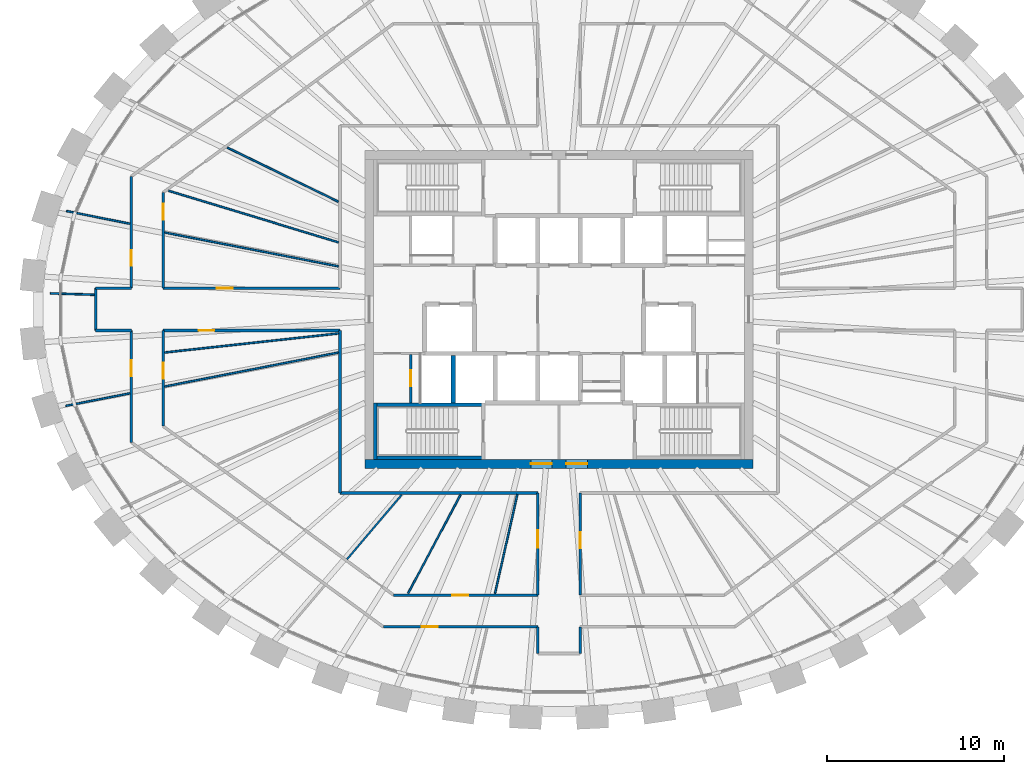
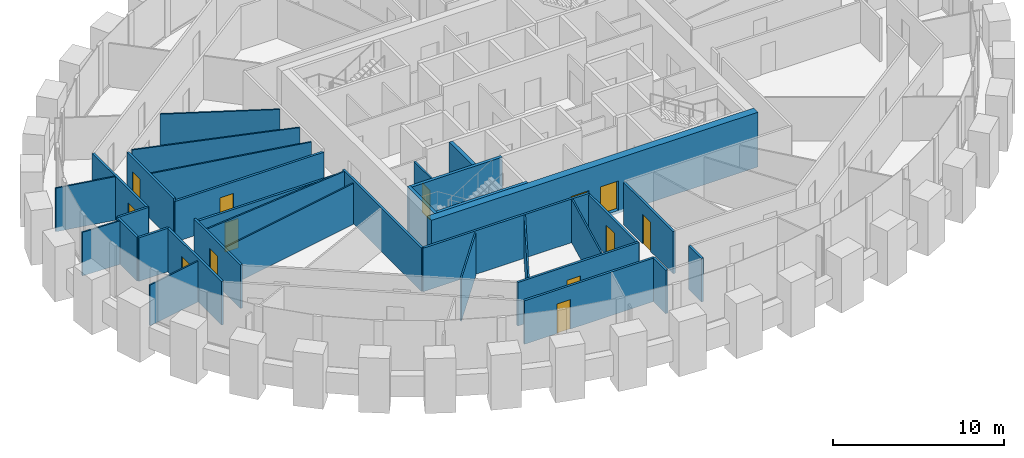
# One storey, part 6 of 12: 34 walls, 13 doors, 13 openings.
"""IFC4 building model written with IfcOpenShell, lengths in metres."""

from ifc_helpers import new_model, si_unit, direction, frame, frame_2d, origin, place, context, subcontext, project, spatial, rectangle, extrude, source, transform, mapped, material, layer, layer_set, type_object, element, fill, save


model = new_model("IFC4")

# Units and contexts
model_context = context("Model", 3, precision=1e-05, world=origin(), true_north=direction((0.0, 1.0)))
body_context = subcontext(model_context, "Body", "Model", "MODEL_VIEW")
ifc_project = project(units=[si_unit("LENGTHUNIT", "METRE"), si_unit("AREAUNIT", "SQUARE_METRE"), si_unit("VOLUMEUNIT", "CUBIC_METRE"), si_unit("PLANEANGLEUNIT", "RADIAN"), si_unit("MASSUNIT", "GRAM", prefix="KILO")], contexts=[model_context])

# Site, building, storey
site_placement = place(None, origin())
site = spatial("IfcSite", under=ifc_project, at=site_placement, CompositionType="ELEMENT")
building_placement = place(site_placement, origin())
building = spatial("IfcBuilding", under=site, at=building_placement, Name="Embergate Tower", CompositionType="ELEMENT")
storey_placement = place(building_placement, frame((0.0, 0.0, 320.800048828125)))
storey = spatial("IfcBuildingStorey", under=building, at=storey_placement, Name="L75", CompositionType="ELEMENT", Elevation=320.800048828125)

# Wall, openings, doors
ifc_material_1 = material(Name="Concrete C50", Category="concrete")
ifc_layer_1 = layer(ifc_material_1, 0.5)
ifc_layer_set_1 = layer_set([ifc_layer_1], Name="Concrete C50")
wall_type_1 = type_object("IfcWallType", Name="Core outer wall C50 500", PredefinedType="SHEAR", material=ifc_layer_set_1)
shared_shape_1 = source(origin(), body_context, "Body", "SweptSolid", [
    extrude(rectangle(XDim=22.0, YDim=0.5, at=frame_2d((11.0, 0.0))), origin(), (0.0, 0.0, 1.0), 3.89990234375),
])
wall_1_placement = place(storey_placement, frame((-11.0, -8.75, -0.199951171875), z_axis=(0.0, 0.0, 1.0), x_axis=(1.0, 0.0, 0.0)))
wall_1 = element("IfcWall", 1, at=wall_1_placement, inside=storey, type_object=wall_type_1, Name="CW-L75-S", PredefinedType="SHEAR", context=body_context, shape_type="MappedRepresentation", body=[
    mapped(shared_shape_1, transform((0.0, 0.0, 0.0))),
])
shared_shape_2 = source(origin(), body_context, "Body", "SweptSolid", [
    extrude(rectangle(XDim=1.199951171875, YDim=2.10009765625, at=frame_2d((0.60009765625, 1.050048828125))), frame((0.0, 0.260009765625, 0.0), z_axis=(0.0, -1.0, 0.0), x_axis=(1.0, 0.0, 0.0)), (0.0, 0.0, 1.0), 0.52001953125),
])
opening_1_placement = place(wall_1_placement, frame((9.39990234375, 0.0, 0.199951171875)))
opening_1 = element("IfcOpeningElement", 2, at=opening_1_placement, cuts=wall_1, Name="Opening IF-1", PredefinedType="OPENING", context=body_context, shape_type="MappedRepresentation", body=[
    mapped(shared_shape_2, transform((0.0, 0.0, 0.0))),
])
opening_2_placement = place(wall_1_placement, frame((11.39990234375, 0.0, 0.199951171875)))
opening_2 = element("IfcOpeningElement", 3, at=opening_2_placement, cuts=wall_1, Name="Opening IF-1", PredefinedType="OPENING", context=body_context, shape_type="MappedRepresentation", body=[
    mapped(shared_shape_2, transform((0.0, 0.0, 0.0))),
])
ifc_material_2 = material(Name="Escape fire door 1200")
door_type_1 = type_object("IfcDoorType", Name="Escape fire door 1200", OperationType="SINGLE_SWING_LEFT", PredefinedType="DOOR", material=ifc_material_2)
shared_shape_3 = source(origin(), body_context, "Body", "SweptSolid", [
    extrude(rectangle(XDim=1.199951171875, YDim=2.10009765625, at=frame_2d((0.60009765625, 1.050048828125))), frame((0.0, 0.02490234375, 0.0), z_axis=(0.0, -1.0, 0.0), x_axis=(1.0, 0.0, 0.0)), (0.0, 0.0, 1.0), 0.050048828125),
])
door_1_placement = place(opening_1_placement, origin())
door_1 = element("IfcDoor", 4, at=door_1_placement, inside=storey, type_object=door_type_1, Name="IF-1 door", OperationType="SINGLE_SWING_LEFT", OverallHeight=2.10009765625, OverallWidth=1.199951171875, PredefinedType="DOOR", context=body_context, shape_type="MappedRepresentation", body=[
    mapped(shared_shape_3, transform((0.0, 0.0, 0.0))),
])
fill(opening_1, door_1)
door_2_placement = place(opening_2_placement, origin())
door_2 = element("IfcDoor", 5, at=door_2_placement, inside=storey, type_object=door_type_1, Name="IF-1 door", OperationType="SINGLE_SWING_LEFT", OverallHeight=2.10009765625, OverallWidth=1.199951171875, PredefinedType="DOOR", context=body_context, shape_type="MappedRepresentation", body=[
    mapped(shared_shape_3, transform((0.0, 0.0, 0.0))),
])
fill(opening_2, door_2)

# Walls
ifc_layer_2 = layer(ifc_material_1, 0.25)
ifc_layer_set_2 = layer_set([ifc_layer_2], Name="Concrete C50")
wall_type_2 = type_object("IfcWallType", Name="Hoistway wall reinforced concrete 250", PredefinedType="SHEAR", material=ifc_layer_set_2)
shared_shape_4 = source(origin(), body_context, "Body", "SweptSolid", [
    extrude(rectangle(XDim=2.675048828125, YDim=0.25, at=frame_2d((1.33740234375, 0.0))), origin(), (0.0, 0.0, 1.0), 3.699951171875),
])
wall_2_placement = place(storey_placement, frame((-6.0, -5.300048828125, 0.0), z_axis=(0.0, 0.0, 1.0), x_axis=(0.0, 1.0, 0.0)))
element("IfcWall", 6, at=wall_2_placement, inside=storey, type_object=wall_type_2, Name="HW-1 wall", PredefinedType="SHEAR", context=body_context, shape_type="MappedRepresentation", body=[
    mapped(shared_shape_4, transform((0.0, 0.0, 0.0))),
])
ifc_layer_3 = layer(ifc_material_1, 0.199951171875)
ifc_layer_set_3 = layer_set([ifc_layer_3], Name="Concrete C50")
wall_type_3 = type_object("IfcWallType", Name="Stair enclosure wall reinforced concrete 250", PredefinedType="SHEAR", material=ifc_layer_set_3)
shared_shape_5 = source(origin(), body_context, "Body", "SweptSolid", [
    extrude(rectangle(XDim=6.300048828125, YDim=0.199951171875, at=frame_2d((3.14990234375, 0.0))), origin(), (0.0, 0.0, 1.0), 3.699951171875),
])
wall_3_placement = place(storey_placement, frame((-10.5, -5.39990234375, 0.0), z_axis=(0.0, 0.0, 1.0), x_axis=(1.0, 0.0, 0.0)))
element("IfcWall", 7, at=wall_3_placement, inside=storey, type_object=wall_type_3, Name="SE-1 wall", PredefinedType="SHEAR", context=body_context, shape_type="MappedRepresentation", body=[
    mapped(shared_shape_5, transform((0.0, 0.0, 0.0))),
])

# Wall, opening, door
ifc_material_3 = material(Name="Core partition blockwork 120")
ifc_layer_4 = layer(ifc_material_3, 0.1201171875)
ifc_layer_set_4 = layer_set([ifc_layer_4], Name="Core partition blockwork 120")
wall_type_4 = type_object("IfcWallType", Name="Core partition blockwork 120", PredefinedType="PARTITIONING", material=ifc_layer_set_4)
shared_shape_6 = source(origin(), body_context, "Body", "SweptSolid", [
    extrude(rectangle(XDim=2.739990234375, YDim=0.1201171875, at=frame_2d((1.3701171875, 0.0))), origin(), (0.0, 0.0, 1.0), 3.099853515625),
])
wall_4_placement = place(storey_placement, frame((-8.39990234375, -2.56005859375, 0.0), z_axis=(0.0, 0.0, 1.0), x_axis=(0.0, -1.0, 0.0)))
wall_4 = element("IfcWall", 8, at=wall_4_placement, inside=storey, type_object=wall_type_4, Name="IP-3 wall", PredefinedType="PARTITIONING", context=body_context, shape_type="MappedRepresentation", body=[
    mapped(shared_shape_6, transform((0.0, 0.0, 0.0))),
])
shared_shape_7 = source(origin(), body_context, "Body", "SweptSolid", [
    extrude(rectangle(XDim=0.89990234375, YDim=2.10009765625, at=frame_2d((0.449951171875, 1.050048828125))), frame((0.0, 0.070068359375, 0.0), z_axis=(0.0, -1.0, 0.0), x_axis=(1.0, 0.0, 0.0)), (0.0, 0.0, 1.0), 0.14013671875),
])
opening_3_placement = place(wall_4_placement, frame((0.889892578125, 0.0, 0.0)))
opening_3 = element("IfcOpeningElement", 9, at=opening_3_placement, cuts=wall_4, Name="Opening ID-1", PredefinedType="OPENING", context=body_context, shape_type="MappedRepresentation", body=[
    mapped(shared_shape_7, transform((0.0, 0.0, 0.0))),
])
ifc_material_4 = material(Name="Interior door 900")
door_type_2 = type_object("IfcDoorType", Name="Interior door 900", OperationType="SINGLE_SWING_LEFT", PredefinedType="DOOR", material=ifc_material_4)
shared_shape_8 = source(origin(), body_context, "Body", "SweptSolid", [
    extrude(rectangle(XDim=0.89990234375, YDim=2.10009765625, at=frame_2d((0.449951171875, 1.050048828125))), frame((0.0, 0.02490234375, 0.0), z_axis=(0.0, -1.0, 0.0), x_axis=(1.0, 0.0, 0.0)), (0.0, 0.0, 1.0), 0.050048828125),
])
door_3_placement = place(opening_3_placement, origin())
door_3 = element("IfcDoor", 10, at=door_3_placement, inside=storey, type_object=door_type_2, Name="ID-1 door", OperationType="SINGLE_SWING_LEFT", OverallHeight=2.10009765625, OverallWidth=0.89990234375, PredefinedType="DOOR", context=body_context, shape_type="MappedRepresentation", body=[
    mapped(shared_shape_8, transform((0.0, 0.0, 0.0))),
])
fill(opening_3, door_3)

# Walls
ifc_material_5 = material(Name="Corridor wall dry-lined 150 wet")
ifc_layer_5 = layer(ifc_material_5, 0.14990234375)
ifc_layer_set_5 = layer_set([ifc_layer_5], Name="Corridor wall dry-lined 150 wet")
wall_type_5 = type_object("IfcWallType", Name="Corridor wall dry-lined 150 wet", PredefinedType="PLUMBINGWALL", material=ifc_layer_set_5)
shared_shape_9 = source(origin(), body_context, "Body", "SweptSolid", [
    extrude(rectangle(XDim=2.39990234375, YDim=0.14990234375, at=frame_2d((1.199951171875, 0.0))), origin(), (0.0, 0.0, 1.0), 3.099853515625),
])
wall_5_placement = place(storey_placement, frame((-26.238037109375, -1.199951171875, 0.0), z_axis=(0.0, 0.0, 1.0), x_axis=(0.0, 1.0, 0.0)))
element("IfcWall", 11, at=wall_5_placement, inside=storey, type_object=wall_type_5, Name="IP-2 wall", PredefinedType="PLUMBINGWALL", context=body_context, shape_type="MappedRepresentation", body=[
    mapped(shared_shape_9, transform((0.0, 0.0, 0.0))),
])
ifc_material_6 = material(Name="Corridor wall dry-lined 150")
ifc_layer_6 = layer(ifc_material_6, 0.14990234375)
ifc_layer_set_6 = layer_set([ifc_layer_6], Name="Corridor wall dry-lined 150")
wall_type_6 = type_object("IfcWallType", Name="Corridor wall dry-lined 150", PredefinedType="PARTITIONING", material=ifc_layer_set_6)
shared_shape_10 = source(origin(), body_context, "Body", "SweptSolid", [
    extrude(rectangle(XDim=9.199951171875, YDim=0.14990234375, at=frame_2d((4.60009765625, 0.0))), origin(), (0.0, 0.0, 1.0), 3.099853515625),
])
wall_6_placement = place(storey_placement, frame((-12.39990234375, -10.39990234375, 0.0), z_axis=(0.0, 0.0, 1.0), x_axis=(0.0, 1.0, 0.0)))
element("IfcWall", 12, at=wall_6_placement, inside=storey, type_object=wall_type_6, Name="IP-2 wall", PredefinedType="PARTITIONING", context=body_context, shape_type="MappedRepresentation", body=[
    mapped(shared_shape_10, transform((0.0, 0.0, 0.0))),
])
shared_shape_11 = source(origin(), body_context, "Body", "SweptSolid", [
    extrude(rectangle(XDim=11.199951171875, YDim=0.14990234375, at=frame_2d((5.60009765625, 0.0))), origin(), (0.0, 0.0, 1.0), 3.099853515625),
])
wall_7_placement = place(storey_placement, frame((-1.199951171875, -10.39990234375, 0.0), z_axis=(0.0, 0.0, 1.0), x_axis=(-1.0, 0.0, 0.0)))
element("IfcWall", 13, at=wall_7_placement, inside=storey, type_object=wall_type_6, Name="IP-2 wall", PredefinedType="PARTITIONING", context=body_context, shape_type="MappedRepresentation", body=[
    mapped(shared_shape_11, transform((0.0, 0.0, 0.0))),
])
shared_shape_12 = source(origin(), body_context, "Body", "SweptSolid", [
    extrude(rectangle(XDim=6.298095703125, YDim=0.199951171875, at=frame_2d((3.14892578125, 0.0))), origin(), (0.0, 0.0, 1.0), 3.699951171875),
])
wall_8_placement = place(storey_placement, frame((-10.5, -8.39990234375, 0.0), z_axis=(0.0, 0.0, 1.0), x_axis=(1.0, 0.0, 0.0)))
element("IfcWall", 14, at=wall_8_placement, inside=storey, type_object=wall_type_3, Name="SE-1 wall", PredefinedType="SHEAR", context=body_context, shape_type="MappedRepresentation", body=[
    mapped(shared_shape_12, transform((0.0, 0.0, 0.0))),
])
shared_shape_13 = source(origin(), body_context, "Body", "SweptSolid", [
    extrude(rectangle(XDim=3.197998046875, YDim=0.199951171875, at=frame_2d((1.59912109375, 0.0))), origin(), (0.0, 0.0, 1.0), 3.699951171875),
])
wall_9_placement = place(storey_placement, frame((-10.39990234375, -5.302001953125, 0.0), z_axis=(0.0, 0.0, 1.0), x_axis=(0.0, -1.0, 0.0)))
element("IfcWall", 15, at=wall_9_placement, inside=storey, type_object=wall_type_3, Name="SE-1 wall", PredefinedType="SHEAR", context=body_context, shape_type="MappedRepresentation", body=[
    mapped(shared_shape_13, transform((0.0, 0.0, 0.0))),
])

# Wall, opening, door
shared_shape_14 = source(origin(), body_context, "Body", "SweptSolid", [
    extrude(rectangle(XDim=5.783203125, YDim=0.14990234375, at=frame_2d((2.8916015625, 0.0))), origin(), (0.0, 0.0, 1.0), 3.0),
])
wall_10_placement = place(storey_placement, frame((-1.199951171875, -16.18310546875, 0.0), z_axis=(0.0, 0.0, 1.0), x_axis=(0.0, 1.0, 0.0)))
wall_10 = element("IfcWall", 16, at=wall_10_placement, inside=storey, type_object=wall_type_6, Name="IP-2 wall", PredefinedType="PARTITIONING", context=body_context, shape_type="MappedRepresentation", body=[
    mapped(shared_shape_14, transform((0.0, 0.0, 0.0))),
])
shared_shape_15 = source(origin(), body_context, "Body", "SweptSolid", [
    extrude(rectangle(XDim=1.0, YDim=2.10009765625, at=frame_2d((0.5, 1.050048828125))), frame((0.0, 0.0849609375, 0.0), z_axis=(0.0, -1.0, 0.0), x_axis=(1.0, 0.0, 0.0)), (0.0, 0.0, 1.0), 0.169921875),
])
opening_4_placement = place(wall_10_placement, frame((2.6845703125, 0.0, 0.0)))
opening_4 = element("IfcOpeningElement", 17, at=opening_4_placement, cuts=wall_10, Name="Opening ID-2", PredefinedType="OPENING", context=body_context, shape_type="MappedRepresentation", body=[
    mapped(shared_shape_15, transform((0.0, 0.0, 0.0))),
])
ifc_material_7 = material(Name="Interior door 1000")
door_type_3 = type_object("IfcDoorType", Name="Interior door 1000", OperationType="SINGLE_SWING_LEFT", PredefinedType="DOOR", material=ifc_material_7)
shared_shape_16 = source(origin(), body_context, "Body", "SweptSolid", [
    extrude(rectangle(XDim=1.0, YDim=2.10009765625, at=frame_2d((0.5, 1.050048828125))), frame((0.0, 0.02490234375, 0.0), z_axis=(0.0, -1.0, 0.0), x_axis=(1.0, 0.0, 0.0)), (0.0, 0.0, 1.0), 0.050048828125),
])
door_4_placement = place(opening_4_placement, origin())
door_4 = element("IfcDoor", 18, at=door_4_placement, inside=storey, type_object=door_type_3, Name="ID-2 door", OperationType="SINGLE_SWING_RIGHT", OverallHeight=2.10009765625, OverallWidth=1.0, PredefinedType="DOOR", context=body_context, shape_type="MappedRepresentation", body=[
    mapped(shared_shape_16, transform((0.0, 0.0, 0.0))),
])
fill(opening_4, door_4)

wall_11_placement = place(storey_placement, frame((1.199951171875, -10.39990234375, 0.0), z_axis=(0.0, 0.0, 1.0), x_axis=(0.0, -1.0, 0.0)))
wall_11 = element("IfcWall", 19, at=wall_11_placement, inside=storey, type_object=wall_type_6, Name="IP-2 wall", PredefinedType="PARTITIONING", context=body_context, shape_type="MappedRepresentation", body=[
    mapped(shared_shape_14, transform((0.0, 0.0, 0.0))),
])
shared_shape_17 = source(origin(), body_context, "Body", "SweptSolid", [
    extrude(rectangle(XDim=0.89990234375, YDim=2.10009765625, at=frame_2d((0.449951171875, 1.050048828125))), frame((0.0, 0.0849609375, 0.0), z_axis=(0.0, -1.0, 0.0), x_axis=(1.0, 0.0, 0.0)), (0.0, 0.0, 1.0), 0.169921875),
])
opening_5_placement = place(wall_11_placement, frame((2.22802734375, 0.0, 0.0)))
opening_5 = element("IfcOpeningElement", 20, at=opening_5_placement, cuts=wall_11, Name="Opening IF-1c", PredefinedType="OPENING", context=body_context, shape_type="MappedRepresentation", body=[
    mapped(shared_shape_17, transform((0.0, 0.0, 0.0))),
])
ifc_material_8 = material(Name="Escape fire door 900")
door_type_4 = type_object("IfcDoorType", Name="Escape fire door 900", OperationType="SINGLE_SWING_LEFT", PredefinedType="DOOR", material=ifc_material_8)
door_5_placement = place(opening_5_placement, origin())
door_5 = element("IfcDoor", 21, at=door_5_placement, inside=storey, type_object=door_type_4, Name="IF-1 door", OperationType="SINGLE_SWING_LEFT", OverallHeight=2.10009765625, OverallWidth=0.89990234375, PredefinedType="DOOR", context=body_context, shape_type="MappedRepresentation", body=[
    mapped(shared_shape_8, transform((0.0, 0.0, 0.0))),
])
fill(opening_5, door_5)

# Wall
ifc_material_9 = material(Name="Partition dry-lined 100")
ifc_layer_7 = layer(ifc_material_9, 0.10009765625)
ifc_layer_set_7 = layer_set([ifc_layer_7], Name="Partition dry-lined 100")
wall_type_7 = type_object("IfcWallType", Name="Partition dry-lined 100", PredefinedType="PARTITIONING", material=ifc_layer_set_7)
shared_shape_18 = source(origin(), body_context, "Body", "SweptSolid", [
    extrude(rectangle(XDim=4.78271484375, YDim=0.10009765625, at=frame_2d((2.391357421875, 0.0))), origin(), (0.0, 0.0, 1.0), 3.0),
])
wall_12_placement = place(storey_placement, frame((-8.9130859375, -10.507080078125, 0.0), z_axis=(0.0, 0.0, 1.0), x_axis=(-0.646708493857, -0.762737257496, 0.0)))
element("IfcWall", 22, at=wall_12_placement, inside=storey, type_object=wall_type_7, Name="IP-1 wall", PredefinedType="PARTITIONING", context=body_context, shape_type="MappedRepresentation", body=[
    mapped(shared_shape_18, transform((0.0, 0.0, 0.0))),
])

# Wall, opening, door
shared_shape_19 = source(origin(), body_context, "Body", "SweptSolid", [
    extrude(rectangle(XDim=6.3330078125, YDim=0.14990234375, at=frame_2d((3.16650390625, 0.0))), origin(), (0.0, 0.0, 1.0), 3.099853515625),
])
wall_13_placement = place(storey_placement, frame((-24.217041015625, -7.532958984375, 0.0), z_axis=(0.0, 0.0, 1.0), x_axis=(0.0, 1.0, 0.0)))
wall_13 = element("IfcWall", 23, at=wall_13_placement, inside=storey, type_object=wall_type_6, Name="IP-2 wall", PredefinedType="PARTITIONING", context=body_context, shape_type="MappedRepresentation", body=[
    mapped(shared_shape_19, transform((0.0, 0.0, 0.0))),
])
opening_6_placement = place(wall_13_placement, frame((3.74560546875, 0.0, 0.0)))
opening_6 = element("IfcOpeningElement", 24, at=opening_6_placement, cuts=wall_13, Name="Opening IF-1c", PredefinedType="OPENING", context=body_context, shape_type="MappedRepresentation", body=[
    mapped(shared_shape_17, transform((0.0, 0.0, 0.0))),
])
door_6_placement = place(opening_6_placement, origin())
door_6 = element("IfcDoor", 25, at=door_6_placement, inside=storey, type_object=door_type_4, Name="IF-1 door", OperationType="SINGLE_SWING_LEFT", OverallHeight=2.10009765625, OverallWidth=0.89990234375, PredefinedType="DOOR", context=body_context, shape_type="MappedRepresentation", body=[
    mapped(shared_shape_8, transform((0.0, 0.0, 0.0))),
])
fill(opening_6, door_6)

wall_14_placement = place(storey_placement, frame((-24.217041015625, 1.199951171875, 0.0), z_axis=(0.0, 0.0, 1.0), x_axis=(0.0, 1.0, 0.0)))
wall_14 = element("IfcWall", 26, at=wall_14_placement, inside=storey, type_object=wall_type_5, Name="IP-2 wall", PredefinedType="PLUMBINGWALL", context=body_context, shape_type="MappedRepresentation", body=[
    mapped(shared_shape_19, transform((0.0, 0.0, 0.0))),
])
opening_7_placement = place(wall_14_placement, frame((1.260009765625, 0.0, 0.0)))
opening_7 = element("IfcOpeningElement", 27, at=opening_7_placement, cuts=wall_14, Name="Opening IF-1c", PredefinedType="OPENING", context=body_context, shape_type="MappedRepresentation", body=[
    mapped(shared_shape_17, transform((0.0, 0.0, 0.0))),
])
door_7_placement = place(opening_7_placement, origin())
door_7 = element("IfcDoor", 28, at=door_7_placement, inside=storey, type_object=door_type_4, Name="IF-1 door", OperationType="SINGLE_SWING_LEFT", OverallHeight=2.10009765625, OverallWidth=0.89990234375, PredefinedType="DOOR", context=body_context, shape_type="MappedRepresentation", body=[
    mapped(shared_shape_8, transform((0.0, 0.0, 0.0))),
])
fill(opening_7, door_7)

shared_shape_20 = source(origin(), body_context, "Body", "SweptSolid", [
    extrude(rectangle(XDim=5.420166015625, YDim=0.14990234375, at=frame_2d((2.7099609375, 0.0))), origin(), (0.0, 0.0, 1.0), 3.099853515625),
])
wall_15_placement = place(storey_placement, frame((-22.4169921875, -1.199951171875, 0.0), z_axis=(0.0, 0.0, 1.0), x_axis=(0.0, -1.0, 0.0)))
wall_15 = element("IfcWall", 29, at=wall_15_placement, inside=storey, type_object=wall_type_6, Name="IP-2 wall", PredefinedType="PARTITIONING", context=body_context, shape_type="MappedRepresentation", body=[
    mapped(shared_shape_20, transform((0.0, 0.0, 0.0))),
])
opening_8_placement = place(wall_15_placement, frame((1.8349609375, 0.0, 0.0)))
opening_8 = element("IfcOpeningElement", 30, at=opening_8_placement, cuts=wall_15, Name="Opening IF-1c", PredefinedType="OPENING", context=body_context, shape_type="MappedRepresentation", body=[
    mapped(shared_shape_17, transform((0.0, 0.0, 0.0))),
])
door_8_placement = place(opening_8_placement, origin())
door_8 = element("IfcDoor", 31, at=door_8_placement, inside=storey, type_object=door_type_4, Name="IF-1 door", OperationType="SINGLE_SWING_LEFT", OverallHeight=2.10009765625, OverallWidth=0.89990234375, PredefinedType="DOOR", context=body_context, shape_type="MappedRepresentation", body=[
    mapped(shared_shape_8, transform((0.0, 0.0, 0.0))),
])
fill(opening_8, door_8)

wall_16_placement = place(storey_placement, frame((-22.4169921875, 6.6201171875, 0.0), z_axis=(0.0, 0.0, 1.0), x_axis=(0.0, -1.0, 0.0)))
wall_16 = element("IfcWall", 32, at=wall_16_placement, inside=storey, type_object=wall_type_5, Name="IP-2 wall", PredefinedType="PLUMBINGWALL", context=body_context, shape_type="MappedRepresentation", body=[
    mapped(shared_shape_20, transform((0.0, 0.0, 0.0))),
])
opening_9_placement = place(wall_16_placement, frame((0.637939453125, 0.0, 0.0)))
opening_9 = element("IfcOpeningElement", 33, at=opening_9_placement, cuts=wall_16, Name="Opening IF-1c", PredefinedType="OPENING", context=body_context, shape_type="MappedRepresentation", body=[
    mapped(shared_shape_17, transform((0.0, 0.0, 0.0))),
])
door_9_placement = place(opening_9_placement, origin())
door_9 = element("IfcDoor", 34, at=door_9_placement, inside=storey, type_object=door_type_4, Name="IF-1 door", OperationType="SINGLE_SWING_RIGHT", OverallHeight=2.10009765625, OverallWidth=0.89990234375, PredefinedType="DOOR", context=body_context, shape_type="MappedRepresentation", body=[
    mapped(shared_shape_8, transform((0.0, 0.0, 0.0))),
])
fill(opening_9, door_9)

shared_shape_21 = source(origin(), body_context, "Body", "SweptSolid", [
    extrude(rectangle(XDim=8.7529296875, YDim=0.14990234375, at=frame_2d((4.37646484375, 0.0))), origin(), (0.0, 0.0, 1.0), 3.099853515625),
])
wall_17_placement = place(storey_placement, frame((-1.199951171875, -17.98291015625, 0.0), z_axis=(0.0, 0.0, 1.0), x_axis=(-1.0, 0.0, 0.0)))
wall_17 = element("IfcWall", 35, at=wall_17_placement, inside=storey, type_object=wall_type_6, Name="IP-2 wall", PredefinedType="PARTITIONING", context=body_context, shape_type="MappedRepresentation", body=[
    mapped(shared_shape_21, transform((0.0, 0.0, 0.0))),
])
opening_10_placement = place(wall_17_placement, frame((5.66796875, 0.0, 0.0)))
opening_10 = element("IfcOpeningElement", 36, at=opening_10_placement, cuts=wall_17, Name="Opening IF-1c", PredefinedType="OPENING", context=body_context, shape_type="MappedRepresentation", body=[
    mapped(shared_shape_17, transform((0.0, 0.0, 0.0))),
])
door_10_placement = place(opening_10_placement, origin())
door_10 = element("IfcDoor", 37, at=door_10_placement, inside=storey, type_object=door_type_4, Name="IF-1 door", OperationType="SINGLE_SWING_LEFT", OverallHeight=2.10009765625, OverallWidth=0.89990234375, PredefinedType="DOOR", context=body_context, shape_type="MappedRepresentation", body=[
    mapped(shared_shape_8, transform((0.0, 0.0, 0.0))),
])
fill(opening_10, door_10)

# Walls
shared_shape_22 = source(origin(), body_context, "Body", "SweptSolid", [
    extrude(rectangle(XDim=1.508056640625, YDim=0.14990234375, at=frame_2d((0.75390625, 0.0))), origin(), (0.0, 0.0, 1.0), 3.099853515625),
])
for number, where, z_axis, x_axis, name in (
    (38, (1.199951171875, -17.98291015625, 0.0), (0.0, 0.0, 1.0), (0.0, -1.0, 0.0), "IP-2 wall"),
    (39, (-1.199951171875, -19.490966796875, 0.0), (0.0, 0.0, 1.0), (0.0, 1.0, 0.0), "IP-2 wall"),
):
    element("IfcWall", number, at=place(storey_placement, frame(where, z_axis=z_axis, x_axis=x_axis)), inside=storey, type_object=wall_type_6, Name=name, PredefinedType="PARTITIONING", context=body_context, shape_type="MappedRepresentation", body=[
        mapped(shared_shape_22, transform((0.0, 0.0, 0.0))),
    ])

# Wall, opening, door
shared_shape_23 = source(origin(), body_context, "Body", "SweptSolid", [
    extrude(rectangle(XDim=8.1640625, YDim=0.14990234375, at=frame_2d((4.08203125, 0.0))), origin(), (0.0, 0.0, 1.0), 3.099853515625),
])
wall_18_placement = place(storey_placement, frame((-9.364013671875, -16.18310546875, 0.0), z_axis=(0.0, 0.0, 1.0), x_axis=(1.0, 0.0, 0.0)))
wall_18 = element("IfcWall", 40, at=wall_18_placement, inside=storey, type_object=wall_type_6, Name="IP-2 wall", PredefinedType="PARTITIONING", context=body_context, shape_type="MappedRepresentation", body=[
    mapped(shared_shape_23, transform((0.0, 0.0, 0.0))),
])
opening_11_placement = place(wall_18_placement, frame((3.309814453125, 0.0, 0.0)))
opening_11 = element("IfcOpeningElement", 41, at=opening_11_placement, cuts=wall_18, Name="Opening IF-1c", PredefinedType="OPENING", context=body_context, shape_type="MappedRepresentation", body=[
    mapped(shared_shape_17, transform((0.0, 0.0, 0.0))),
])
door_11_placement = place(opening_11_placement, origin())
door_11 = element("IfcDoor", 42, at=door_11_placement, inside=storey, type_object=door_type_4, Name="IF-1 door", OperationType="SINGLE_SWING_RIGHT", OverallHeight=2.10009765625, OverallWidth=0.89990234375, PredefinedType="DOOR", context=body_context, shape_type="MappedRepresentation", body=[
    mapped(shared_shape_8, transform((0.0, 0.0, 0.0))),
])
fill(opening_11, door_11)

# Walls
shared_shape_24 = source(origin(), body_context, "Body", "SweptSolid", [
    extrude(rectangle(XDim=2.02099609375, YDim=0.14990234375, at=frame_2d((1.010498046875, 0.0))), origin(), (0.0, 0.0, 1.0), 3.099853515625),
])
for number, where, z_axis, x_axis, name in (
    (43, (-26.238037109375, 1.199951171875, 0.0), (0.0, 0.0, 1.0), (1.0, 0.0, 0.0), "IP-2 wall"),
    (44, (-24.217041015625, -1.199951171875, 0.0), (0.0, 0.0, 1.0), (-1.0, 0.0, 0.0), "IP-2 wall"),
):
    element("IfcWall", number, at=place(storey_placement, frame(where, z_axis=z_axis, x_axis=x_axis)), inside=storey, type_object=wall_type_5, Name=name, PredefinedType="PLUMBINGWALL", context=body_context, shape_type="MappedRepresentation", body=[
        mapped(shared_shape_24, transform((0.0, 0.0, 0.0))),
    ])

# Wall, opening, door
shared_shape_25 = source(origin(), body_context, "Body", "SweptSolid", [
    extrude(rectangle(XDim=10.01708984375, YDim=0.14990234375, at=frame_2d((5.008544921875, 0.0))), origin(), (0.0, 0.0, 1.0), 2.89990234375),
])
wall_19_placement = place(storey_placement, frame((-12.39990234375, -1.199951171875, 0.0), z_axis=(0.0, 0.0, 1.0), x_axis=(-1.0, 0.0, 0.0)))
wall_19 = element("IfcWall", 45, at=wall_19_placement, inside=storey, type_object=wall_type_5, Name="IP-2 wall", PredefinedType="PLUMBINGWALL", context=body_context, shape_type="MappedRepresentation", body=[
    mapped(shared_shape_25, transform((0.0, 0.0, 0.0))),
])
opening_12_placement = place(wall_19_placement, frame((7.113037109375, 0.0, 0.0)))
opening_12 = element("IfcOpeningElement", 46, at=opening_12_placement, cuts=wall_19, Name="Opening IF-1c", PredefinedType="OPENING", context=body_context, shape_type="MappedRepresentation", body=[
    mapped(shared_shape_17, transform((0.0, 0.0, 0.0))),
])
door_12_placement = place(opening_12_placement, origin())
door_12 = element("IfcDoor", 47, at=door_12_placement, inside=storey, type_object=door_type_4, Name="IF-1 door", OperationType="SINGLE_SWING_LEFT", OverallHeight=2.10009765625, OverallWidth=0.89990234375, PredefinedType="DOOR", context=body_context, shape_type="MappedRepresentation", body=[
    mapped(shared_shape_8, transform((0.0, 0.0, 0.0))),
])
fill(opening_12, door_12)

wall_20_placement = place(storey_placement, frame((-22.4169921875, 1.199951171875, 0.0), z_axis=(0.0, 0.0, 1.0), x_axis=(1.0, 0.0, 0.0)))
wall_20 = element("IfcWall", 48, at=wall_20_placement, inside=storey, type_object=wall_type_5, Name="IP-2 wall", PredefinedType="PLUMBINGWALL", context=body_context, shape_type="MappedRepresentation", body=[
    mapped(shared_shape_25, transform((0.0, 0.0, 0.0))),
])
opening_13_placement = place(wall_20_placement, frame((3.02587890625, 0.0, 0.0)))
opening_13 = element("IfcOpeningElement", 49, at=opening_13_placement, cuts=wall_20, Name="Opening IF-1c", PredefinedType="OPENING", context=body_context, shape_type="MappedRepresentation", body=[
    mapped(shared_shape_17, transform((0.0, 0.0, 0.0))),
])
door_13_placement = place(opening_13_placement, origin())
door_13 = element("IfcDoor", 50, at=door_13_placement, inside=storey, type_object=door_type_4, Name="IF-1 door", OperationType="SINGLE_SWING_RIGHT", OverallHeight=2.10009765625, OverallWidth=0.89990234375, PredefinedType="DOOR", context=body_context, shape_type="MappedRepresentation", body=[
    mapped(shared_shape_8, transform((0.0, 0.0, 0.0))),
])
fill(opening_13, door_13)

# Walls
ifc_material_10 = material(Name="Partition dry-lined 100 wet")
ifc_layer_8 = layer(ifc_material_10, 0.10009765625)
ifc_layer_set_8 = layer_set([ifc_layer_8], Name="Partition dry-lined 100 wet")
wall_type_8 = type_object("IfcWallType", Name="Partition dry-lined 100 wet", PredefinedType="PLUMBINGWALL", material=ifc_layer_set_8)
shared_shape_26 = source(origin(), body_context, "Body", "SweptSolid", [
    extrude(rectangle(XDim=3.702880859375, YDim=0.10009765625, at=frame_2d((1.8515625, 0.0))), origin(), (0.0, 0.0, 1.0), 2.89990234375),
])
wall_21_placement = place(storey_placement, frame((-24.302001953125, -4.757080078125, 0.0), z_axis=(0.0, 0.0, 1.0), x_axis=(-0.981396165862, -0.191993660396, 0.0)))
element("IfcWall", 51, at=wall_21_placement, inside=storey, type_object=wall_type_8, Name="IP-1 wall", PredefinedType="PLUMBINGWALL", context=body_context, shape_type="MappedRepresentation", body=[
    mapped(shared_shape_26, transform((0.0, 0.0, 0.0))),
])
shared_shape_27 = source(origin(), body_context, "Body", "SweptSolid", [
    extrude(rectangle(XDim=10.03369140625, YDim=0.10009765625, at=frame_2d((5.016845703125, 0.0))), origin(), (0.0, 0.0, 1.0), 2.89990234375),
])
wall_22_placement = place(storey_placement, frame((-12.485107421875, -2.444091796875, 0.0), z_axis=(0.0, 0.0, 1.0), x_axis=(-0.981384580226, -0.192052872133, 0.0)))
element("IfcWall", 52, at=wall_22_placement, inside=storey, type_object=wall_type_8, Name="IP-1 wall", PredefinedType="PLUMBINGWALL", context=body_context, shape_type="MappedRepresentation", body=[
    mapped(shared_shape_27, transform((0.0, 0.0, 0.0))),
])
shared_shape_28 = source(origin(), body_context, "Body", "SweptSolid", [
    extrude(rectangle(XDim=6.326416015625, YDim=0.10009765625, at=frame_2d((3.1630859375, 0.0))), origin(), (0.0, 0.0, 1.0), 3.099853515625),
])
wall_23_placement = place(storey_placement, frame((-5.576904296875, -10.498046875, 0.0), z_axis=(0.0, 0.0, 1.0), x_axis=(-0.469151463844, -0.883117718072, 0.0)))
element("IfcWall", 53, at=wall_23_placement, inside=storey, type_object=wall_type_7, Name="IP-1 wall", PredefinedType="PARTITIONING", context=body_context, shape_type="MappedRepresentation", body=[
    mapped(shared_shape_28, transform((0.0, 0.0, 0.0))),
])
shared_shape_29 = source(origin(), body_context, "Body", "SweptSolid", [
    extrude(rectangle(XDim=5.752685546875, YDim=0.10009765625, at=frame_2d((2.87646484375, 0.0))), origin(), (0.0, 0.0, 1.0), 3.099853515625),
])
wall_24_placement = place(storey_placement, frame((-2.362060546875, -10.486083984375, 0.0), z_axis=(0.0, 0.0, 1.0), x_axis=(-0.219881793904, -0.975526522812, 0.0)))
element("IfcWall", 54, at=wall_24_placement, inside=storey, type_object=wall_type_7, Name="IP-1 wall", PredefinedType="PARTITIONING", context=body_context, shape_type="MappedRepresentation", body=[
    mapped(shared_shape_29, transform((0.0, 0.0, 0.0))),
])
shared_shape_30 = source(origin(), body_context, "Body", "SweptSolid", [
    extrude(rectangle(XDim=6.99365234375, YDim=0.10009765625, at=frame_2d((3.496826171875, 0.0))), origin(), (0.0, 0.0, 1.0), 3.0),
])
wall_25_placement = place(storey_placement, frame((-12.4970703125, 6.094970703125, 0.0), z_axis=(0.0, 0.0, 1.0), x_axis=(-0.898789245471, 0.438380989809, 0.0)))
element("IfcWall", 55, at=wall_25_placement, inside=storey, type_object=wall_type_8, Name="IP-1 wall", PredefinedType="PLUMBINGWALL", context=body_context, shape_type="MappedRepresentation", body=[
    mapped(shared_shape_30, transform((0.0, 0.0, 0.0))),
])
shared_shape_31 = source(origin(), body_context, "Body", "SweptSolid", [
    extrude(rectangle(XDim=3.6689453125, YDim=0.10009765625, at=frame_2d((1.83447265625, 0.0))), origin(), (0.0, 0.0, 1.0), 3.099853515625),
])
wall_26_placement = place(storey_placement, frame((-24.302001953125, 4.84912109375, 0.0), z_axis=(0.0, 0.0, 1.0), x_axis=(-0.980611374794, 0.195962577103, 0.0)))
element("IfcWall", 56, at=wall_26_placement, inside=storey, type_object=wall_type_8, Name="IP-1 wall", PredefinedType="PLUMBINGWALL", context=body_context, shape_type="MappedRepresentation", body=[
    mapped(shared_shape_31, transform((0.0, 0.0, 0.0))),
])
shared_shape_32 = source(origin(), body_context, "Body", "SweptSolid", [
    extrude(rectangle(XDim=2.4931640625, YDim=0.10009765625, at=frame_2d((1.24658203125, 0.0))), origin(), (0.0, 0.0, 1.0), 3.099853515625),
])
wall_27_placement = place(storey_placement, frame((-26.31298828125, 0.826904296875, 0.0), z_axis=(0.0, 0.0, 1.0), x_axis=(-0.999508918325, 0.031335637686, 0.0)))
element("IfcWall", 57, at=wall_27_placement, inside=storey, type_object=wall_type_8, Name="IP-1 wall", PredefinedType="PLUMBINGWALL", context=body_context, shape_type="MappedRepresentation", body=[
    mapped(shared_shape_32, transform((0.0, 0.0, 0.0))),
])
shared_shape_33 = source(origin(), body_context, "Body", "SweptSolid", [
    extrude(rectangle(XDim=9.914794921875, YDim=0.10009765625, at=frame_2d((4.95751953125, 0.0))), origin(), (0.0, 0.0, 1.0), 3.099853515625),
])
wall_28_placement = place(storey_placement, frame((-12.47998046875, -1.364990234375, 0.0), z_axis=(0.0, 0.0, 1.0), x_axis=(-0.994059626254, -0.108836847858, 0.0)))
element("IfcWall", 58, at=wall_28_placement, inside=storey, type_object=wall_type_8, Name="IP-1 wall", PredefinedType="PLUMBINGWALL", context=body_context, shape_type="MappedRepresentation", body=[
    mapped(shared_shape_33, transform((0.0, 0.0, 0.0))),
])
shared_shape_34 = source(origin(), body_context, "Body", "SweptSolid", [
    extrude(rectangle(XDim=10.052978515625, YDim=0.10009765625, at=frame_2d((5.0263671875, 0.0))), origin(), (0.0, 0.0, 1.0), 3.099853515625),
])
wall_29_placement = place(storey_placement, frame((-12.489013671875, 3.7939453125, 0.0), z_axis=(0.0, 0.0, 1.0), x_axis=(-0.956822577391, 0.290672591406, 0.0)))
element("IfcWall", 59, at=wall_29_placement, inside=storey, type_object=wall_type_8, Name="IP-1 wall", PredefinedType="PLUMBINGWALL", context=body_context, shape_type="MappedRepresentation", body=[
    mapped(shared_shape_34, transform((0.0, 0.0, 0.0))),
])
shared_shape_35 = source(origin(), body_context, "Body", "SweptSolid", [
    extrude(rectangle(XDim=10.0322265625, YDim=0.10009765625, at=frame_2d((5.01611328125, 0.0))), origin(), (0.0, 0.0, 1.0), 2.89990234375),
])
wall_30_placement = place(storey_placement, frame((-12.485107421875, 2.43310546875, 0.0), z_axis=(0.0, 0.0, 1.0), x_axis=(-0.981535638361, 0.19127935233, 0.0)))
element("IfcWall", 60, at=wall_30_placement, inside=storey, type_object=wall_type_8, Name="IP-1 wall", PredefinedType="PLUMBINGWALL", context=body_context, shape_type="MappedRepresentation", body=[
    mapped(shared_shape_35, transform((0.0, 0.0, 0.0))),
])

save(model, "model.ifc")
